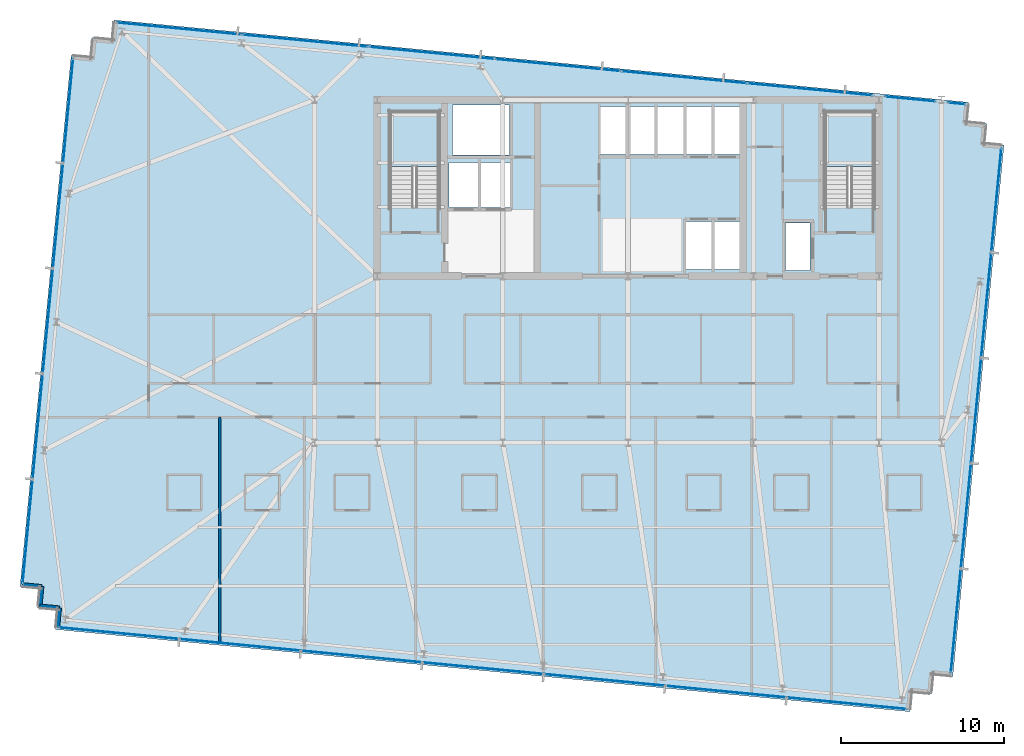
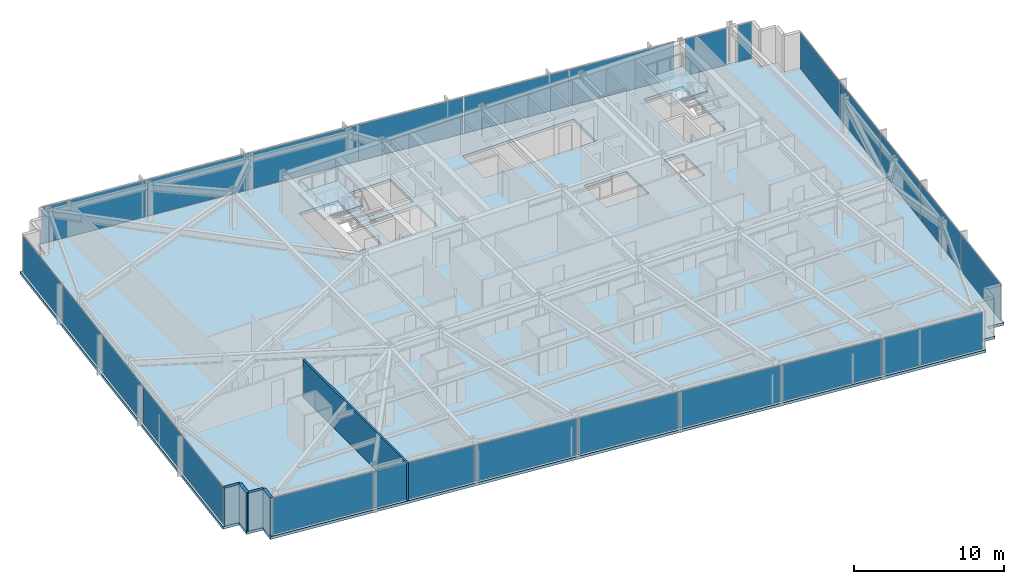
# One storey, part 28 of 38: 25 plates, 5 walls, 3 slabs, 8 elements without a shape of their own.
"""IFC4 building model written with IfcOpenShell, lengths in metres."""

from ifc_helpers import new_model, si_unit, direction, frame, frame_2d, origin, origin_2d, place, context, subcontext, project, spatial, polyline, rectangle, outline, extrude, material, layer, layer_set, type_object, element, aggregate, save


model = new_model("IFC4")

# Units and contexts
model_context = context("Model", 3, precision=1e-05, world=origin(), true_north=direction((0.0, 1.0)))
body_context = subcontext(model_context, "Body", "Model", "MODEL_VIEW")
ifc_project = project(units=[si_unit("LENGTHUNIT", "METRE"), si_unit("AREAUNIT", "SQUARE_METRE"), si_unit("VOLUMEUNIT", "CUBIC_METRE"), si_unit("PLANEANGLEUNIT", "RADIAN"), si_unit("MASSUNIT", "GRAM", prefix="KILO")], contexts=[model_context])

# Site, building, storey
site_placement = place(None, origin())
site = spatial("IfcSite", under=ifc_project, at=site_placement, CompositionType="ELEMENT")
building_placement = place(site_placement, origin())
building = spatial("IfcBuilding", under=site, at=building_placement, Name="Yelkora Congress Tower", CompositionType="ELEMENT")
storey_placement = place(building_placement, frame((0.0, 0.0, 172.10009765625)))
storey = spatial("IfcBuildingStorey", under=building, at=storey_placement, Name="L47", CompositionType="ELEMENT", Elevation=172.10009765625)

# Curtain wall, plates
ifc_material_1 = material(Name="Anodised aluminium and insulated glass", Category="aluminium")
curtain_wall_type = type_object("IfcCurtainWallType", Name="CW-SYS-B3", PredefinedType="NOTDEFINED", material=ifc_material_1)
curtain_wall_1_placement = place(storey_placement, origin())
curtain_wall_1 = element("IfcCurtainWall", 1, at=curtain_wall_1_placement, inside=storey, type_object=curtain_wall_type, Name="L47 Unitised Curtain Wall 5", PredefinedType="NOTDEFINED")
ifc_material_2 = material(Name="Acoustic laminated hotel glass unit B3", Category="glass")
ifc_layer_1 = layer(ifc_material_2, 0.0419921875)
ifc_layer_set_1 = layer_set([ifc_layer_1], Name="Acoustic laminated hotel glass unit B3")
plate_type = type_object("IfcPlateType", Name="PLT-PN-B3", PredefinedType="CURTAIN_PANEL", material=ifc_layer_set_1)
plate_1_placement = place(storey_placement, frame((1.61572265625, 19.75244140625, 0.059814453125), z_axis=(0.0, 0.0, 1.0), x_axis=(0.095845294465, 0.995396242473, 0.0)))
plate_1 = element("IfcPlate", 2, at=plate_1_placement, type_object=plate_type, Name="CW-B3 panel 1.1", PredefinedType="CURTAIN_PANEL", context=body_context, shape_type="SweptSolid", body=[
    extrude(rectangle(XDim=6.37890625, YDim=0.0419921875, at=origin_2d()), origin(), (0.0, 0.0, 1.0), 2.9599609375),
])
plate_2_placement = place(storey_placement, frame((2.235595703125, 26.189208984375, 0.059814453125), z_axis=(0.0, 0.0, 1.0), x_axis=(0.095845294465, 0.995396242473, 0.0)))
plate_2 = element("IfcPlate", 3, at=plate_2_placement, type_object=plate_type, Name="CW-B3 panel 2.1", PredefinedType="CURTAIN_PANEL", context=body_context, shape_type="SweptSolid", body=[
    extrude(rectangle(XDim=6.4140625, YDim=0.0419921875, at=origin_2d()), origin(), (0.0, 0.0, 1.0), 2.9599609375),
])
plate_3_placement = place(storey_placement, frame((2.85693359375, 32.643310546875, 0.059814453125), z_axis=(0.0, 0.0, 1.0), x_axis=(0.095845294465, 0.995396242473, 0.0)))
plate_3 = element("IfcPlate", 4, at=plate_3_placement, type_object=plate_type, Name="CW-B3 panel 3.1", PredefinedType="CURTAIN_PANEL", context=body_context, shape_type="SweptSolid", body=[
    extrude(rectangle(XDim=6.4140625, YDim=0.0419921875, at=origin_2d()), origin(), (0.0, 0.0, 1.0), 2.9599609375),
])
plate_4_placement = place(storey_placement, frame((3.478515625, 39.097412109375, 0.059814453125), z_axis=(0.0, 0.0, 1.0), x_axis=(0.095845294465, 0.995396242473, 0.0)))
plate_4 = element("IfcPlate", 5, at=plate_4_placement, type_object=plate_type, Name="CW-B3 panel 4.1", PredefinedType="CURTAIN_PANEL", context=body_context, shape_type="SweptSolid", body=[
    extrude(rectangle(XDim=6.4140625, YDim=0.0419921875, at=origin_2d()), origin(), (0.0, 0.0, 1.0), 2.9599609375),
])
plate_5_placement = place(storey_placement, frame((4.09814453125, 45.5341796875, 0.059814453125), z_axis=(0.0, 0.0, 1.0), x_axis=(0.095845294465, 0.995396242473, 0.0)))
plate_5 = element("IfcPlate", 6, at=plate_5_placement, type_object=plate_type, Name="CW-B3 panel 5.1", PredefinedType="CURTAIN_PANEL", context=body_context, shape_type="SweptSolid", body=[
    extrude(rectangle(XDim=6.37890625, YDim=0.0419921875, at=origin_2d()), origin(), (0.0, 0.0, 1.0), 2.9599609375),
])
aggregate(curtain_wall_1, [plate_1, plate_2, plate_3, plate_4, plate_5])

curtain_wall_2_placement = place(storey_placement, origin())
curtain_wall_2 = element("IfcCurtainWall", 7, at=curtain_wall_2_placement, inside=storey, type_object=curtain_wall_type, Name="L47 Unitised Curtain Wall 10 (1)", PredefinedType="NOTDEFINED")
plate_6_placement = place(storey_placement, frame((10.913818359375, 50.5634765625, 0.059814453125), z_axis=(0.0, 0.0, 1.0), x_axis=(0.995396293823, -0.095844761168, 0.0)))
plate_6 = element("IfcPlate", 8, at=plate_6_placement, type_object=plate_type, Name="CW-B3 panel 1.1", PredefinedType="CURTAIN_PANEL", context=body_context, shape_type="SweptSolid", body=[
    extrude(rectangle(XDim=7.664306640625, YDim=0.0419921875, at=origin_2d()), origin(), (0.0, 0.0, 1.0), 2.9599609375),
])
plate_7_placement = place(storey_placement, frame((18.6298828125, 49.820556640625, 0.059814453125), z_axis=(0.0, 0.0, 1.0), x_axis=(0.995396293823, -0.095844761168, 0.0)))
plate_7 = element("IfcPlate", 9, at=plate_7_placement, type_object=plate_type, Name="CW-B3 panel 2.1", PredefinedType="CURTAIN_PANEL", context=body_context, shape_type="SweptSolid", body=[
    extrude(rectangle(XDim=7.69921875, YDim=0.0419921875, at=origin_2d()), origin(), (0.0, 0.0, 1.0), 2.9599609375),
])
plate_8_placement = place(storey_placement, frame((26.363525390625, 49.075927734375, 0.059814453125), z_axis=(0.0, 0.0, 1.0), x_axis=(0.995396293823, -0.095844761168, 0.0)))
plate_8 = element("IfcPlate", 10, at=plate_8_placement, type_object=plate_type, Name="CW-B3 panel 3.1", PredefinedType="CURTAIN_PANEL", context=body_context, shape_type="SweptSolid", body=[
    extrude(rectangle(XDim=7.69921875, YDim=0.0419921875, at=origin_2d()), origin(), (0.0, 0.0, 1.0), 2.9599609375),
])
plate_9_placement = place(storey_placement, frame((34.09716796875, 48.331298828125, 0.059814453125), z_axis=(0.0, 0.0, 1.0), x_axis=(0.995396293823, -0.095844761168, 0.0)))
plate_9 = element("IfcPlate", 11, at=plate_9_placement, type_object=plate_type, Name="CW-B3 panel 4.1", PredefinedType="CURTAIN_PANEL", context=body_context, shape_type="SweptSolid", body=[
    extrude(rectangle(XDim=7.69921875, YDim=0.0419921875, at=origin_2d()), origin(), (0.0, 0.0, 1.0), 2.9599609375),
])
plate_10_placement = place(storey_placement, frame((41.83056640625, 47.586669921875, 0.059814453125), z_axis=(0.0, 0.0, 1.0), x_axis=(0.995396293823, -0.095844761168, 0.0)))
plate_10 = element("IfcPlate", 12, at=plate_10_placement, type_object=plate_type, Name="CW-B3 panel 5.1", PredefinedType="CURTAIN_PANEL", context=body_context, shape_type="SweptSolid", body=[
    extrude(rectangle(XDim=7.69921875, YDim=0.0419921875, at=origin_2d()), origin(), (0.0, 0.0, 1.0), 2.9599609375),
])
plate_11_placement = place(storey_placement, frame((49.546875, 46.84375, 0.059814453125), z_axis=(0.0, 0.0, 1.0), x_axis=(0.995396293823, -0.095844761168, 0.0)))
plate_11 = element("IfcPlate", 13, at=plate_11_placement, type_object=plate_type, Name="CW-B3 panel 6.1", PredefinedType="CURTAIN_PANEL", context=body_context, shape_type="SweptSolid", body=[
    extrude(rectangle(XDim=7.664306640625, YDim=0.0419921875, at=origin_2d()), origin(), (0.0, 0.0, 1.0), 2.9599609375),
])
aggregate(curtain_wall_2, [plate_6, plate_7, plate_8, plate_9, plate_10, plate_11])

# Curtain wall, plate
curtain_wall_3_placement = place(storey_placement, origin())
curtain_wall_3 = element("IfcCurtainWall", 14, at=curtain_wall_3_placement, inside=storey, type_object=curtain_wall_type, Name="L47 Unitised Curtain Wall 10 (2)", PredefinedType="NOTDEFINED")
plate_12_placement = place(storey_placement, frame((55.679931640625, 46.253173828125, 0.059814453125), z_axis=(0.0, 0.0, 1.0), x_axis=(0.995395952188, -0.095848309157, 0.0)))
plate_12 = element("IfcPlate", 15, at=plate_12_placement, type_object=plate_type, Name="CW-B3 panel 1.1", PredefinedType="CURTAIN_PANEL", context=body_context, shape_type="SweptSolid", body=[
    extrude(rectangle(XDim=3.056640625, YDim=0.0419921875, at=origin_2d()), origin(), (0.0, 0.0, 1.0), 2.9599609375),
])
aggregate(curtain_wall_3, [plate_12])

curtain_wall_4_placement = place(storey_placement, origin())
curtain_wall_4 = element("IfcCurtainWall", 16, at=curtain_wall_4_placement, inside=storey, type_object=curtain_wall_type, Name="L47 Unitised Curtain Wall 10 (3)", PredefinedType="NOTDEFINED")
plate_13_placement = place(storey_placement, frame((58.518798828125, 45.979736328125, 0.059814453125), z_axis=(0.0, 0.0, 1.0), x_axis=(0.995395569658, -0.095852281686, 0.0)))
plate_13 = element("IfcPlate", 17, at=plate_13_placement, type_object=plate_type, Name="CW-B3 panel 1.1", PredefinedType="CURTAIN_PANEL", context=body_context, shape_type="SweptSolid", body=[
    extrude(rectangle(XDim=1.045166015625, YDim=0.0419921875, at=origin_2d()), origin(), (0.0, 0.0, 1.0), 2.9599609375),
])
aggregate(curtain_wall_4, [plate_13])

# Curtain wall, plates
curtain_wall_5_placement = place(storey_placement, origin())
curtain_wall_5 = element("IfcCurtainWall", 18, at=curtain_wall_5_placement, inside=storey, type_object=curtain_wall_type, Name="L47 Unitised Curtain Wall 15", PredefinedType="NOTDEFINED")
plate_14_placement = place(storey_placement, frame((60.955322265625, 40.0595703125, 0.059814453125), z_axis=(0.0, 0.0, 1.0), x_axis=(-0.095841944023, -0.995396565076, 0.0)))
plate_14 = element("IfcPlate", 19, at=plate_14_placement, type_object=plate_type, Name="CW-B3 panel 1.1", PredefinedType="CURTAIN_PANEL", context=body_context, shape_type="SweptSolid", body=[
    extrude(rectangle(XDim=6.37890625, YDim=0.0419921875, at=origin_2d()), origin(), (0.0, 0.0, 1.0), 2.9599609375),
])
plate_15_placement = place(storey_placement, frame((60.33544921875, 33.622802734375, 0.059814453125), z_axis=(0.0, 0.0, 1.0), x_axis=(-0.095841944023, -0.995396565076, 0.0)))
plate_15 = element("IfcPlate", 20, at=plate_15_placement, type_object=plate_type, Name="CW-B3 panel 2.1", PredefinedType="CURTAIN_PANEL", context=body_context, shape_type="SweptSolid", body=[
    extrude(rectangle(XDim=6.4140625, YDim=0.0419921875, at=origin_2d()), origin(), (0.0, 0.0, 1.0), 2.9599609375),
])
plate_16_placement = place(storey_placement, frame((59.714111328125, 27.168701171875, 0.059814453125), z_axis=(0.0, 0.0, 1.0), x_axis=(-0.095841944023, -0.995396565076, 0.0)))
plate_16 = element("IfcPlate", 21, at=plate_16_placement, type_object=plate_type, Name="CW-B3 panel 3.1", PredefinedType="CURTAIN_PANEL", context=body_context, shape_type="SweptSolid", body=[
    extrude(rectangle(XDim=6.4140625, YDim=0.0419921875, at=origin_2d()), origin(), (0.0, 0.0, 1.0), 2.9599609375),
])
plate_17_placement = place(storey_placement, frame((59.092529296875, 20.71435546875, 0.059814453125), z_axis=(0.0, 0.0, 1.0), x_axis=(-0.095841944023, -0.995396565076, 0.0)))
plate_17 = element("IfcPlate", 22, at=plate_17_placement, type_object=plate_type, Name="CW-B3 panel 4.1", PredefinedType="CURTAIN_PANEL", context=body_context, shape_type="SweptSolid", body=[
    extrude(rectangle(XDim=6.4140625, YDim=0.0419921875, at=origin_2d()), origin(), (0.0, 0.0, 1.0), 2.9599609375),
])
plate_18_placement = place(storey_placement, frame((58.472900390625, 14.277587890625, 0.059814453125), z_axis=(0.0, 0.0, 1.0), x_axis=(-0.095841944023, -0.995396565076, 0.0)))
plate_18 = element("IfcPlate", 23, at=plate_18_placement, type_object=plate_type, Name="CW-B3 panel 5.1", PredefinedType="CURTAIN_PANEL", context=body_context, shape_type="SweptSolid", body=[
    extrude(rectangle(XDim=6.37890625, YDim=0.0419921875, at=origin_2d()), origin(), (0.0, 0.0, 1.0), 2.9599609375),
])
aggregate(curtain_wall_5, [plate_14, plate_15, plate_16, plate_17, plate_18])

curtain_wall_6_placement = place(storey_placement, origin())
curtain_wall_6 = element("IfcCurtainWall", 24, at=curtain_wall_6_placement, inside=storey, type_object=curtain_wall_type, Name="L47 Unitised Curtain Wall 20", PredefinedType="NOTDEFINED")
plate_19_placement = place(storey_placement, frame((51.803955078125, 9.234130859375, 0.059814453125), z_axis=(0.0, 0.0, 1.0), x_axis=(-0.995396301573, 0.095844680679, 0.0)))
plate_19 = element("IfcPlate", 25, at=plate_19_placement, type_object=plate_type, Name="CW-B3 panel 1.1", PredefinedType="CURTAIN_PANEL", context=body_context, shape_type="SweptSolid", body=[
    extrude(rectangle(XDim=7.369384765625, YDim=0.0419921875, at=origin_2d()), origin(), (0.0, 0.0, 1.0), 2.9599609375),
])
plate_20_placement = place(storey_placement, frame((44.381591796875, 9.948974609375, 0.059814453125), z_axis=(0.0, 0.0, 1.0), x_axis=(-0.995396301573, 0.095844680679, 0.0)))
plate_20 = element("IfcPlate", 26, at=plate_20_placement, type_object=plate_type, Name="CW-B3 panel 2.1", PredefinedType="CURTAIN_PANEL", context=body_context, shape_type="SweptSolid", body=[
    extrude(rectangle(XDim=7.404296875, YDim=0.0419921875, at=origin_2d()), origin(), (0.0, 0.0, 1.0), 2.9599609375),
])
plate_21_placement = place(storey_placement, frame((36.941650390625, 10.665283203125, 0.059814453125), z_axis=(0.0, 0.0, 1.0), x_axis=(-0.995396301573, 0.095844680679, 0.0)))
plate_21 = element("IfcPlate", 27, at=plate_21_placement, type_object=plate_type, Name="CW-B3 panel 3.1", PredefinedType="CURTAIN_PANEL", context=body_context, shape_type="SweptSolid", body=[
    extrude(rectangle(XDim=7.404296875, YDim=0.0419921875, at=origin_2d()), origin(), (0.0, 0.0, 1.0), 2.9599609375),
])
plate_22_placement = place(storey_placement, frame((29.501708984375, 11.381591796875, 0.059814453125), z_axis=(0.0, 0.0, 1.0), x_axis=(-0.995396301573, 0.095844680679, 0.0)))
plate_22 = element("IfcPlate", 28, at=plate_22_placement, type_object=plate_type, Name="CW-B3 panel 4.1", PredefinedType="CURTAIN_PANEL", context=body_context, shape_type="SweptSolid", body=[
    extrude(rectangle(XDim=7.404296875, YDim=0.0419921875, at=origin_2d()), origin(), (0.0, 0.0, 1.0), 2.9599609375),
])
plate_23_placement = place(storey_placement, frame((22.06201171875, 12.097900390625, 0.059814453125), z_axis=(0.0, 0.0, 1.0), x_axis=(-0.995396301573, 0.095844680679, 0.0)))
plate_23 = element("IfcPlate", 29, at=plate_23_placement, type_object=plate_type, Name="CW-B3 panel 5.1", PredefinedType="CURTAIN_PANEL", context=body_context, shape_type="SweptSolid", body=[
    extrude(rectangle(XDim=7.404296875, YDim=0.0419921875, at=origin_2d()), origin(), (0.0, 0.0, 1.0), 2.9599609375),
])
plate_24_placement = place(storey_placement, frame((14.6220703125, 12.814453125, 0.059814453125), z_axis=(0.0, 0.0, 1.0), x_axis=(-0.995396301573, 0.095844680679, 0.0)))
plate_24 = element("IfcPlate", 30, at=plate_24_placement, type_object=plate_type, Name="CW-B3 panel 6.1", PredefinedType="CURTAIN_PANEL", context=body_context, shape_type="SweptSolid", body=[
    extrude(rectangle(XDim=7.404296875, YDim=0.0419921875, at=origin_2d()), origin(), (0.0, 0.0, 1.0), 2.9599609375),
])
plate_25_placement = place(storey_placement, frame((7.199462890625, 13.529052734375, 0.059814453125), z_axis=(0.0, 0.0, 1.0), x_axis=(-0.995396301573, 0.095844680679, 0.0)))
plate_25 = element("IfcPlate", 31, at=plate_25_placement, type_object=plate_type, Name="CW-B3 panel 7.1", PredefinedType="CURTAIN_PANEL", context=body_context, shape_type="SweptSolid", body=[
    extrude(rectangle(XDim=7.369384765625, YDim=0.0419921875, at=origin_2d()), origin(), (0.0, 0.0, 1.0), 2.9599609375),
])
aggregate(curtain_wall_6, [plate_19, plate_20, plate_21, plate_22, plate_23, plate_24, plate_25])

# Stair, slab
ifc_material_3 = material(Name="Concrete C40/50", Category="concrete")
stair_type = type_object("IfcStairType", Name="STAIR-HT-1420-R20-165", PredefinedType="HALF_TURN_STAIR", material=ifc_material_3)
stair_1_placement = place(storey_placement, origin())
stair_1 = element("IfcStair", 32, at=stair_1_placement, inside=storey, type_object=stair_type, Name="West Core Protected Exit Stair ST-01 (L47)", PredefinedType="HALF_TURN_STAIR")
ifc_layer_2 = layer(ifc_material_3, 0.219970703125)
ifc_layer_set_2 = layer_set([ifc_layer_2], Name="Concrete C40/50")
slab_type_1 = type_object("IfcSlabType", Name="SLAB-LANDING-220", PredefinedType="LANDING", material=ifc_layer_set_2)
slab_1_placement = place(storey_placement, frame((0.0, 0.0, 1.429931640625)))
slab_1 = element("IfcSlab", 33, at=slab_1_placement, type_object=slab_type_1, Name="ST-01 L47 Half Landing 1", PredefinedType="LANDING", context=body_context, shape_type="SweptSolid", body=[
    extrude(outline(polyline([(26.820068359375, 42.1201171875), (26.820068359375, 45.469970703125), (23.820068359375, 45.469970703125), (23.820068359375, 42.1201171875), (26.820068359375, 42.1201171875)])), origin(), (0.0, 0.0, 1.0), 0.219970703125),
])
aggregate(stair_1, [slab_1])

stair_2_placement = place(storey_placement, origin())
stair_2 = element("IfcStair", 34, at=stair_2_placement, inside=storey, type_object=stair_type, Name="East Core Protected Exit Stair ST-02 (L47)", PredefinedType="HALF_TURN_STAIR")
slab_2_placement = place(storey_placement, frame((0.0, 0.0, 1.429931640625)))
slab_2 = element("IfcSlab", 35, at=slab_2_placement, type_object=slab_type_1, Name="ST-02 L47 Half Landing 1", PredefinedType="LANDING", context=body_context, shape_type="SweptSolid", body=[
    extrude(outline(polyline([(53.4599609375, 42.1201171875), (53.4599609375, 45.469970703125), (50.4599609375, 45.469970703125), (50.4599609375, 42.1201171875), (53.4599609375, 42.1201171875)])), origin(), (0.0, 0.0, 1.0), 0.219970703125),
])
aggregate(stair_2, [slab_2])

# Slab
ifc_layer_3 = layer(ifc_material_3, 0.219970703125)
ifc_layer_set_3 = layer_set([ifc_layer_3], Name="Concrete C40/50")
slab_type_2 = type_object("IfcSlabType", Name="SLAB-TWR-220", PredefinedType="FLOOR", material=ifc_layer_set_3)
slab_3_placement = place(storey_placement, frame((0.0, 0.0, -0.22021484375)))
element("IfcSlab", 36, at=slab_3_placement, inside=storey, type_object=slab_type_2, Name="L47 Structural Floor Slab", PredefinedType="FLOOR", context=body_context, shape_type="SweptSolid", body=[
    extrude(outline(polyline([(3.309326171875, 13.762939453125), (55.667236328125, 8.721435546875), (55.7822265625, 9.916015625), (56.976806640625, 9.801025390625), (57.091796875, 10.99560546875), (58.286376953125, 10.88037109375), (61.42041015625, 43.429931640625), (60.225830078125, 43.544921875), (60.341064453125, 44.739501953125), (59.146484375, 44.8544921875), (59.261474609375, 46.048828125), (6.90380859375, 51.09033203125), (6.78857421875, 49.89599609375), (5.59423828125, 50.010986328125), (5.479248046875, 48.81640625), (4.28466796875, 48.931396484375), (1.150390625, 16.382080078125), (2.344970703125, 16.26708984375), (2.22998046875, 15.072509765625), (3.424560546875, 14.95751953125), (3.309326171875, 13.762939453125)]), holes=[polyline([(23.820068359375, 39.6298828125), (26.820068359375, 39.6298828125), (26.820068359375, 45.469970703125), (23.820068359375, 45.469970703125), (23.820068359375, 39.6298828125)]), polyline([(50.4599609375, 39.6298828125), (53.4599609375, 39.6298828125), (53.4599609375, 45.469970703125), (50.4599609375, 45.469970703125), (50.4599609375, 39.6298828125)]), polyline([(48.050048828125, 35.75), (49.550048828125, 35.75), (49.550048828125, 38.64990234375), (48.050048828125, 38.64990234375), (48.050048828125, 35.75)]), polyline([(36.64990234375, 42.85009765625), (45.25, 42.85009765625), (45.25, 45.800048828125), (36.64990234375, 45.800048828125), (36.64990234375, 42.85009765625)]), polyline([(41.949951171875, 35.800048828125), (45.25, 35.800048828125), (45.25, 38.75), (41.949951171875, 38.75), (41.949951171875, 35.800048828125)]), polyline([(27.419921875, 39.60009765625), (31.179931640625, 39.60009765625), (31.179931640625, 42.35009765625), (27.419921875, 42.35009765625), (27.419921875, 39.60009765625)]), polyline([(27.64990234375, 42.820068359375), (31.1201171875, 42.820068359375), (31.1201171875, 45.8798828125), (27.64990234375, 45.8798828125), (27.64990234375, 42.820068359375)])]), origin(), (0.0, 0.0, 1.0), 0.22021484375),
])

# Walls
ifc_layer_4 = layer(ifc_material_3, 0.239990234375)
ifc_layer_set_4 = layer_set([ifc_layer_4], Name="Concrete C40/50")
wall_type_1 = type_object("IfcWallType", Name="WALL-EXT-LIMESTONE-240", PredefinedType="SOLIDWALL", material=ifc_layer_set_4)
for number, where, z_axis, x_axis, name in (
    (37, (3.462158203125, 13.888916015625, 0.0), (0.0, 0.0, 1.0), (0.096018626938, 0.995379537303, 0.0), "L47 Serrated Corner Limestone Pier 1"),
    (38, (3.577392578125, 15.08349609375, 0.0), (0.0, 0.0, 1.0), (-0.995398960025, 0.095817067274, 0.0), "L47 Serrated Corner Limestone Pier 2"),
):
    element("IfcWall", number, at=place(storey_placement, frame(where, z_axis=z_axis, x_axis=x_axis)), inside=storey, type_object=wall_type_1, Name=name, PredefinedType="SOLIDWALL", context=body_context, shape_type="SweptSolid", body=[
        extrude(rectangle(XDim=1.2001953125, YDim=0.239990234375, at=frame_2d((0.60009765625, 0.0))), origin(), (0.0, 0.0, 1.0), 3.079833984375),
    ])
wall_1_placement = place(storey_placement, frame((2.3828125, 15.198486328125, 0.0), z_axis=(0.0, 0.0, 1.0), x_axis=(0.095836473879, 0.995397091755, 0.0)))
element("IfcWall", 39, at=wall_1_placement, inside=storey, type_object=wall_type_1, Name="L47 Serrated Corner Limestone Pier 3", PredefinedType="SOLIDWALL", context=body_context, shape_type="SweptSolid", body=[
    extrude(rectangle(XDim=1.199951171875, YDim=0.239990234375, at=frame_2d((0.60009765625, 0.0))), origin(), (0.0, 0.0, 1.0), 3.079833984375),
])
wall_2_placement = place(storey_placement, frame((2.497802734375, 16.392822265625, 0.0), z_axis=(0.0, 0.0, 1.0), x_axis=(-0.995398960025, 0.095817067274, 0.0)))
element("IfcWall", 40, at=wall_2_placement, inside=storey, type_object=wall_type_1, Name="L47 Serrated Corner Limestone Pier 4", PredefinedType="SOLIDWALL", context=body_context, shape_type="SweptSolid", body=[
    extrude(rectangle(XDim=1.2001953125, YDim=0.239990234375, at=frame_2d((0.60009765625, 0.0))), origin(), (0.0, 0.0, 1.0), 3.079833984375),
])
ifc_material_4 = material(Name="Twin-stud fire-rated gypsum partition", Category="gypsum")
ifc_layer_5 = layer(ifc_material_4, 0.14990234375)
ifc_layer_set_5 = layer_set([ifc_layer_5], Name="Twin-stud fire-rated gypsum partition")
wall_type_2 = type_object("IfcWallType", Name="WALL-INT-150-R60", PredefinedType="PARTITIONING", material=ifc_layer_set_5)
wall_3_placement = place(storey_placement, frame((13.39794921875, 12.871826171875, 0.0), z_axis=(0.0, 0.0, 1.0), x_axis=(0.0, 1.0, 0.0)))
element("IfcWall", 41, at=wall_3_placement, inside=storey, type_object=wall_type_2, Name="L47 Partition Wall 35", PredefinedType="PARTITIONING", context=body_context, shape_type="SweptSolid", body=[
    extrude(rectangle(XDim=13.898193359375, YDim=0.14990234375, at=frame_2d((6.94921875, 0.0))), origin(), (0.0, 0.0, 1.0), 3.079833984375),
])

save(model, "model.ifc")
